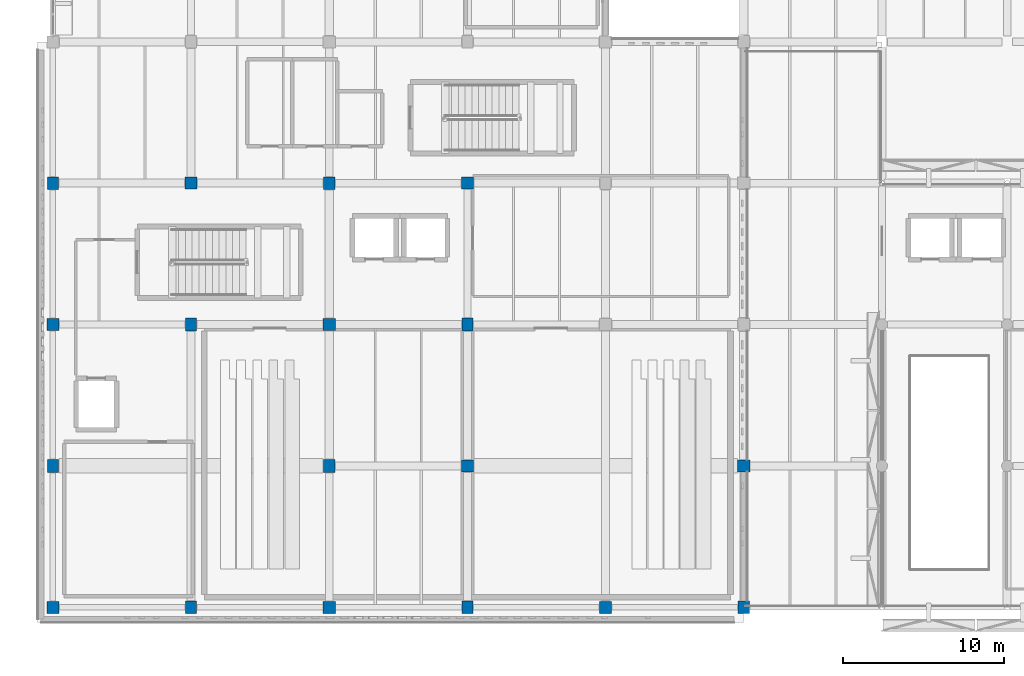
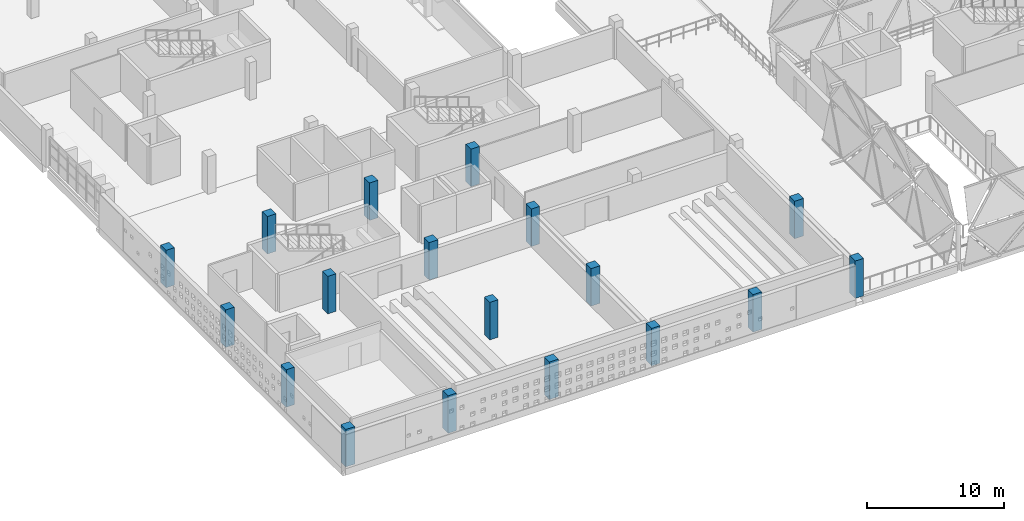
# One storey, part 1 of 93: 18 columns.
"""IFC4 building model written with IfcOpenShell, lengths in metres."""

from ifc_helpers import new_model, si_unit, direction, frame, origin, origin_2d, place, context, subcontext, project, spatial, rectangle, extrude, material, material_profile, profile_set, type_object, element, save


model = new_model("IFC4")

# Units and contexts
model_context = context("Model", 3, precision=1e-05, world=origin(), true_north=direction((0.0, 1.0)))
body_context = subcontext(model_context, "Body", "Model", "MODEL_VIEW")
ifc_project = project(units=[si_unit("LENGTHUNIT", "METRE"), si_unit("AREAUNIT", "SQUARE_METRE"), si_unit("VOLUMEUNIT", "CUBIC_METRE"), si_unit("PLANEANGLEUNIT", "RADIAN"), si_unit("MASSUNIT", "GRAM", prefix="KILO")], contexts=[model_context])

# Site, building, storey
site_placement = place(None, origin())
site = spatial("IfcSite", under=ifc_project, at=site_placement, CompositionType="ELEMENT")
building_placement = place(site_placement, origin())
building = spatial("IfcBuilding", under=site, at=building_placement, Name="Varnakota Cinema and Media Centre", CompositionType="ELEMENT")
storey_placement = place(building_placement, frame((0.0, 0.0, 12.0)))
storey = spatial("IfcBuildingStorey", under=building, at=storey_placement, Name="L03", CompositionType="ELEMENT", Elevation=12.0)

# Columns
ifc_material_1 = material(Name="Concrete M40", Category="concrete")
ifc_material_profile_1 = material_profile(ifc_material_1, rectangle(XDim=0.699951171875, YDim=0.800048828125, at=origin_2d()), Name="RC 700x800")
ifc_profile_set_1 = profile_set([ifc_material_profile_1], Name="Concrete M40")
column_type_1 = type_object("IfcColumnType", Name="COL-RC-700x800", PredefinedType="COLUMN", material=ifc_profile_set_1)
for number, where, z_axis, x_axis, name in (
    (1, (0.0, 8.800048828125, 0.0), (0.0, 0.0, 1.0), (1.0, 0.0, 0.0), "L03 column A/2"),
    (2, (0.0, 26.39990234375, 0.0), (0.0, 0.0, 1.0), (1.0, 0.0, 0.0), "L03 column A/4"),
    (3, (8.60009765625, 0.0, 0.0), (0.0, 0.0, 1.0), (1.0, 0.0, 0.0), "L03 column B/1"),
    (4, (8.60009765625, 17.60009765625, 0.0), (0.0, 0.0, 1.0), (1.0, 0.0, 0.0), "L03 column B/3"),
    (5, (17.199951171875, 8.800048828125, 0.0), (0.0, 0.0, 1.0), (1.0, 0.0, 0.0), "L03 column C/2"),
    (6, (17.199951171875, 26.39990234375, 0.0), (0.0, 0.0, 1.0), (1.0, 0.0, 0.0), "L03 column C/4"),
    (7, (25.800048828125, 0.0, 0.0), (0.0, 0.0, 1.0), (1.0, 0.0, 0.0), "L03 column D/1"),
    (8, (25.800048828125, 17.60009765625, 0.0), (0.0, 0.0, 1.0), (1.0, 0.0, 0.0), "L03 column D/3"),
    (9, (43.0, 0.0, 0.0), (0.0, 0.0, 1.0), (1.0, 0.0, 0.0), "L03 column F/1"),
):
    element("IfcColumn", number, at=place(storey_placement, frame(where, z_axis=z_axis, x_axis=x_axis)), inside=storey, type_object=column_type_1, Name=name, PredefinedType="COLUMN", context=body_context, shape_type="SweptSolid", body=[
        extrude(rectangle(XDim=0.699951171875, YDim=0.800048828125, at=origin_2d()), origin(), (0.0, 0.0, 1.0), 3.35009765625),
    ])
ifc_material_2 = material(Name="Concrete M40", Category="concrete")
ifc_material_profile_2 = material_profile(ifc_material_2, rectangle(XDim=0.75, YDim=0.75, at=origin_2d()), Name="RC 750x750")
ifc_profile_set_2 = profile_set([ifc_material_profile_2], Name="Concrete M40")
column_type_2 = type_object("IfcColumnType", Name="COL-RC-750x750", PredefinedType="COLUMN", material=ifc_profile_set_2)
for number, where, z_axis, x_axis, name in (
    (10, (0.0, 0.0, 0.0), (0.0, 0.0, 1.0), (1.0, 0.0, 0.0), "L03 column A/1"),
    (11, (0.0, 17.60009765625, 0.0), (0.0, 0.0, 1.0), (1.0, 0.0, 0.0), "L03 column A/3"),
    (12, (8.60009765625, 26.39990234375, 0.0), (0.0, 0.0, 1.0), (1.0, 0.0, 0.0), "L03 column B/4"),
    (13, (17.199951171875, 0.0, 0.0), (0.0, 0.0, 1.0), (1.0, 0.0, 0.0), "L03 column C/1"),
    (14, (17.199951171875, 17.60009765625, 0.0), (0.0, 0.0, 1.0), (1.0, 0.0, 0.0), "L03 column C/3"),
    (15, (25.800048828125, 8.800048828125, 0.0), (0.0, 0.0, 1.0), (1.0, 0.0, 0.0), "L03 column D/2"),
    (16, (25.800048828125, 26.39990234375, 0.0), (0.0, 0.0, 1.0), (1.0, 0.0, 0.0), "L03 column D/4"),
    (17, (34.39990234375, 0.0, 0.0), (0.0, 0.0, 1.0), (1.0, 0.0, 0.0), "L03 column E/1"),
    (18, (43.0, 8.800048828125, 0.0), (0.0, 0.0, 1.0), (1.0, 0.0, 0.0), "L03 column F/2"),
):
    element("IfcColumn", number, at=place(storey_placement, frame(where, z_axis=z_axis, x_axis=x_axis)), inside=storey, type_object=column_type_2, Name=name, PredefinedType="COLUMN", context=body_context, shape_type="SweptSolid", body=[
        extrude(rectangle(XDim=0.75, YDim=0.75, at=origin_2d()), origin(), (0.0, 0.0, 1.0), 3.35009765625),
    ])

save(model, "model.ifc")
